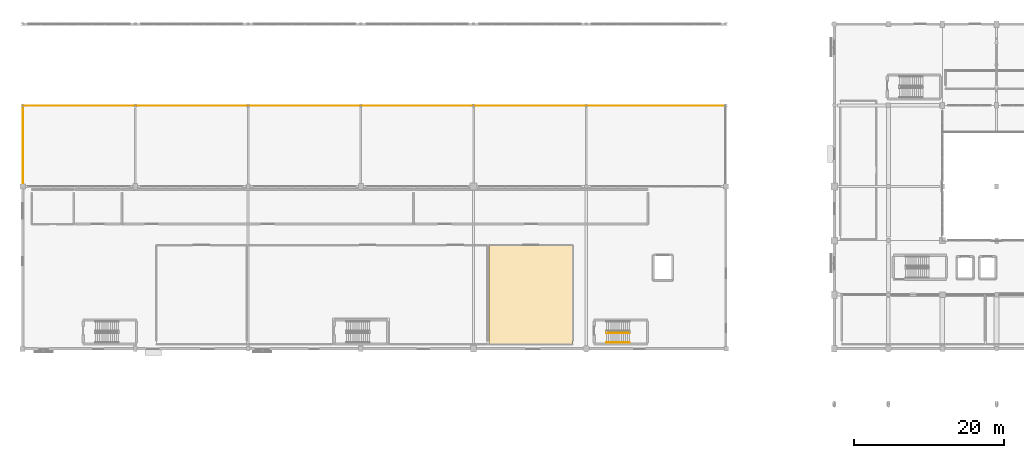
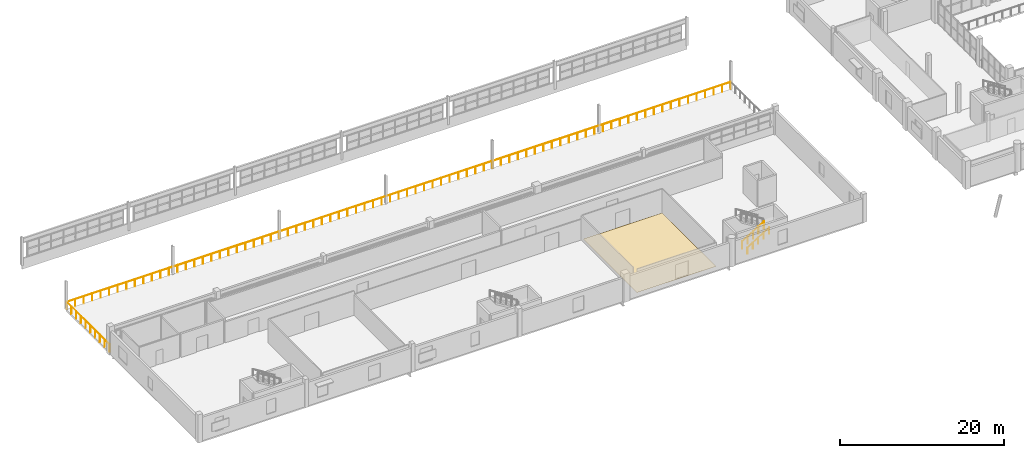
# One storey, part 80 of 92: 4 railings, 1 covering.
"""IFC4 building model written with IfcOpenShell, lengths in metres."""

from ifc_helpers import new_model, si_unit, direction, frame, origin, origin_2d, place, context, subcontext, project, spatial, polyline, circle, outline, extrude, material, layer, layer_set, type_object, element, save


model = new_model("IFC4")

# Units and contexts
model_context = context("Model", 3, precision=1e-05, world=origin(), true_north=direction((0.0, 1.0)))
body_context = subcontext(model_context, "Body", "Model", "MODEL_VIEW")
ifc_project = project(units=[si_unit("LENGTHUNIT", "METRE"), si_unit("AREAUNIT", "SQUARE_METRE"), si_unit("VOLUMEUNIT", "CUBIC_METRE"), si_unit("PLANEANGLEUNIT", "RADIAN"), si_unit("MASSUNIT", "GRAM", prefix="KILO")], contexts=[model_context])

# Site, building, storey
site_placement = place(None, origin())
site = spatial("IfcSite", under=ifc_project, at=site_placement, CompositionType="ELEMENT")
building_placement = place(site_placement, origin())
building = spatial("IfcBuilding", under=site, at=building_placement, Name="Solanera Park Tramway Depot", CompositionType="ELEMENT")
storey_placement = place(building_placement, frame((0.0, 0.0, 4.800048828125)))
storey = spatial("IfcBuildingStorey", under=building, at=storey_placement, Name="L01", CompositionType="ELEMENT", Elevation=4.800048828125)

# Railings
ifc_material_1 = material(Name="Powder-coated galvanised steel balustrade", Category="steel")
ifc_layer_1 = layer(ifc_material_1, 0.06005859375)
ifc_layer_set_1 = layer_set([ifc_layer_1], Name="Powder-coated galvanised steel balustrade")
railing_type_1 = type_object("IfcRailingType", Name="Classical Wrought-Style Balustrade 1120", PredefinedType="BALUSTRADE", material=ifc_layer_set_1)
railing_1_placement = place(storey_placement, frame((0.06005859375, 32.719970703125, 0.0)))
element("IfcRailing", 1, at=railing_1_placement, inside=storey, type_object=railing_type_1, Name="L01 Perimeter Deck Balustrade #011", PredefinedType="BALUSTRADE", context=body_context, shape_type="SweptSolid", body=[
    extrude(circle(Radius=0.02392578125, at=origin_2d()), frame((0.0, 0.0, 1.09619140625), z_axis=(0.0, 1.0, 0.0), x_axis=(-1.0, 0.0, 0.0)), (0.0, 0.0, 1.0), 10.419921875),
    extrude(circle(Radius=0.02099609375, at=origin_2d()), origin(), (0.0, 0.0, 1.0), 1.072021484375),
    extrude(circle(Radius=0.02099609375, at=origin_2d()), frame((0.0, 1.15771484375, 0.0)), (0.0, 0.0, 1.0), 1.072021484375),
    extrude(circle(Radius=0.02099609375, at=origin_2d()), frame((0.0, 2.3154296875, 0.0)), (0.0, 0.0, 1.0), 1.072021484375),
    extrude(circle(Radius=0.02099609375, at=origin_2d()), frame((0.0, 3.473388671875, 0.0)), (0.0, 0.0, 1.0), 1.072021484375),
    extrude(circle(Radius=0.02099609375, at=origin_2d()), frame((0.0, 4.631103515625, 0.0)), (0.0, 0.0, 1.0), 1.072021484375),
    extrude(circle(Radius=0.02099609375, at=origin_2d()), frame((0.0, 5.788818359375, 0.0)), (0.0, 0.0, 1.0), 1.072021484375),
    extrude(circle(Radius=0.02099609375, at=origin_2d()), frame((0.0, 6.946533203125, 0.0)), (0.0, 0.0, 1.0), 1.072021484375),
    extrude(circle(Radius=0.02099609375, at=origin_2d()), frame((0.0, 8.1044921875, 0.0)), (0.0, 0.0, 1.0), 1.072021484375),
    extrude(circle(Radius=0.02099609375, at=origin_2d()), frame((0.0, 9.26220703125, 0.0)), (0.0, 0.0, 1.0), 1.072021484375),
    extrude(circle(Radius=0.02099609375, at=origin_2d()), frame((0.0, 10.419921875, 0.0)), (0.0, 0.0, 1.0), 1.072021484375),
])
railing_2_placement = place(storey_placement, frame((0.06005859375, 43.139892578125, 0.0)))
element("IfcRailing", 2, at=railing_2_placement, inside=storey, type_object=railing_type_1, Name="L01 Perimeter Deck Balustrade #012", PredefinedType="BALUSTRADE", context=body_context, shape_type="SweptSolid", body=[
    extrude(circle(Radius=0.02392578125, at=origin_2d()), frame((0.0, 0.0, 1.09619140625), z_axis=(1.0, 0.0, 0.0), x_axis=(0.0, 1.0, 0.0)), (0.0, 0.0, 1.0), 93.47998046875),
    extrude(circle(Radius=0.02099609375, at=origin_2d()), origin(), (0.0, 0.0, 1.0), 1.072021484375),
    extrude(circle(Radius=0.02099609375, at=origin_2d()), frame((1.198486328125, 0.0, 0.0)), (0.0, 0.0, 1.0), 1.072021484375),
    extrude(circle(Radius=0.02099609375, at=origin_2d()), frame((2.39697265625, 0.0, 0.0)), (0.0, 0.0, 1.0), 1.072021484375),
    extrude(circle(Radius=0.02099609375, at=origin_2d()), frame((3.595458984375, 0.0, 0.0)), (0.0, 0.0, 1.0), 1.072021484375),
    extrude(circle(Radius=0.02099609375, at=origin_2d()), frame((4.7939453125, 0.0, 0.0)), (0.0, 0.0, 1.0), 1.072021484375),
    extrude(circle(Radius=0.02099609375, at=origin_2d()), frame((5.9921875, 0.0, 0.0)), (0.0, 0.0, 1.0), 1.072021484375),
    extrude(circle(Radius=0.02099609375, at=origin_2d()), frame((7.190673828125, 0.0, 0.0)), (0.0, 0.0, 1.0), 1.072021484375),
    extrude(circle(Radius=0.02099609375, at=origin_2d()), frame((8.38916015625, 0.0, 0.0)), (0.0, 0.0, 1.0), 1.072021484375),
    extrude(circle(Radius=0.02099609375, at=origin_2d()), frame((9.587646484375, 0.0, 0.0)), (0.0, 0.0, 1.0), 1.072021484375),
    extrude(circle(Radius=0.02099609375, at=origin_2d()), frame((10.7861328125, 0.0, 0.0)), (0.0, 0.0, 1.0), 1.072021484375),
    extrude(circle(Radius=0.02099609375, at=origin_2d()), frame((11.984619140625, 0.0, 0.0)), (0.0, 0.0, 1.0), 1.072021484375),
    extrude(circle(Radius=0.02099609375, at=origin_2d()), frame((13.18310546875, 0.0, 0.0)), (0.0, 0.0, 1.0), 1.072021484375),
    extrude(circle(Radius=0.02099609375, at=origin_2d()), frame((14.381591796875, 0.0, 0.0)), (0.0, 0.0, 1.0), 1.072021484375),
    extrude(circle(Radius=0.02099609375, at=origin_2d()), frame((15.580078125, 0.0, 0.0)), (0.0, 0.0, 1.0), 1.072021484375),
    extrude(circle(Radius=0.02099609375, at=origin_2d()), frame((16.778564453125, 0.0, 0.0)), (0.0, 0.0, 1.0), 1.072021484375),
    extrude(circle(Radius=0.02099609375, at=origin_2d()), frame((17.976806640625, 0.0, 0.0)), (0.0, 0.0, 1.0), 1.072021484375),
    extrude(circle(Radius=0.02099609375, at=origin_2d()), frame((19.17529296875, 0.0, 0.0)), (0.0, 0.0, 1.0), 1.072021484375),
    extrude(circle(Radius=0.02099609375, at=origin_2d()), frame((20.373779296875, 0.0, 0.0)), (0.0, 0.0, 1.0), 1.072021484375),
    extrude(circle(Radius=0.02099609375, at=origin_2d()), frame((21.572265625, 0.0, 0.0)), (0.0, 0.0, 1.0), 1.072021484375),
    extrude(circle(Radius=0.02099609375, at=origin_2d()), frame((22.770751953125, 0.0, 0.0)), (0.0, 0.0, 1.0), 1.072021484375),
    extrude(circle(Radius=0.02099609375, at=origin_2d()), frame((23.96923828125, 0.0, 0.0)), (0.0, 0.0, 1.0), 1.072021484375),
    extrude(circle(Radius=0.02099609375, at=origin_2d()), frame((25.167724609375, 0.0, 0.0)), (0.0, 0.0, 1.0), 1.072021484375),
    extrude(circle(Radius=0.02099609375, at=origin_2d()), frame((26.3662109375, 0.0, 0.0)), (0.0, 0.0, 1.0), 1.072021484375),
    extrude(circle(Radius=0.02099609375, at=origin_2d()), frame((27.564697265625, 0.0, 0.0)), (0.0, 0.0, 1.0), 1.072021484375),
    extrude(circle(Radius=0.02099609375, at=origin_2d()), frame((28.76318359375, 0.0, 0.0)), (0.0, 0.0, 1.0), 1.072021484375),
    extrude(circle(Radius=0.02099609375, at=origin_2d()), frame((29.96142578125, 0.0, 0.0)), (0.0, 0.0, 1.0), 1.072021484375),
    extrude(circle(Radius=0.02099609375, at=origin_2d()), frame((31.159912109375, 0.0, 0.0)), (0.0, 0.0, 1.0), 1.072021484375),
    extrude(circle(Radius=0.02099609375, at=origin_2d()), frame((32.3583984375, 0.0, 0.0)), (0.0, 0.0, 1.0), 1.072021484375),
    extrude(circle(Radius=0.02099609375, at=origin_2d()), frame((33.556884765625, 0.0, 0.0)), (0.0, 0.0, 1.0), 1.072021484375),
    extrude(circle(Radius=0.02099609375, at=origin_2d()), frame((34.75537109375, 0.0, 0.0)), (0.0, 0.0, 1.0), 1.072021484375),
    extrude(circle(Radius=0.02099609375, at=origin_2d()), frame((35.953857421875, 0.0, 0.0)), (0.0, 0.0, 1.0), 1.072021484375),
    extrude(circle(Radius=0.02099609375, at=origin_2d()), frame((37.15234375, 0.0, 0.0)), (0.0, 0.0, 1.0), 1.072021484375),
    extrude(circle(Radius=0.02099609375, at=origin_2d()), frame((38.350830078125, 0.0, 0.0)), (0.0, 0.0, 1.0), 1.072021484375),
    extrude(circle(Radius=0.02099609375, at=origin_2d()), frame((39.54931640625, 0.0, 0.0)), (0.0, 0.0, 1.0), 1.072021484375),
    extrude(circle(Radius=0.02099609375, at=origin_2d()), frame((40.747802734375, 0.0, 0.0)), (0.0, 0.0, 1.0), 1.072021484375),
    extrude(circle(Radius=0.02099609375, at=origin_2d()), frame((41.946044921875, 0.0, 0.0)), (0.0, 0.0, 1.0), 1.072021484375),
    extrude(circle(Radius=0.02099609375, at=origin_2d()), frame((43.14453125, 0.0, 0.0)), (0.0, 0.0, 1.0), 1.072021484375),
    extrude(circle(Radius=0.02099609375, at=origin_2d()), frame((44.343017578125, 0.0, 0.0)), (0.0, 0.0, 1.0), 1.072021484375),
    extrude(circle(Radius=0.02099609375, at=origin_2d()), frame((45.54150390625, 0.0, 0.0)), (0.0, 0.0, 1.0), 1.072021484375),
    extrude(circle(Radius=0.02099609375, at=origin_2d()), frame((46.739990234375, 0.0, 0.0)), (0.0, 0.0, 1.0), 1.072021484375),
    extrude(circle(Radius=0.02099609375, at=origin_2d()), frame((47.9384765625, 0.0, 0.0)), (0.0, 0.0, 1.0), 1.072021484375),
    extrude(circle(Radius=0.02099609375, at=origin_2d()), frame((49.136962890625, 0.0, 0.0)), (0.0, 0.0, 1.0), 1.072021484375),
    extrude(circle(Radius=0.02099609375, at=origin_2d()), frame((50.33544921875, 0.0, 0.0)), (0.0, 0.0, 1.0), 1.072021484375),
    extrude(circle(Radius=0.02099609375, at=origin_2d()), frame((51.533935546875, 0.0, 0.0)), (0.0, 0.0, 1.0), 1.072021484375),
    extrude(circle(Radius=0.02099609375, at=origin_2d()), frame((52.732177734375, 0.0, 0.0)), (0.0, 0.0, 1.0), 1.072021484375),
    extrude(circle(Radius=0.02099609375, at=origin_2d()), frame((53.9306640625, 0.0, 0.0)), (0.0, 0.0, 1.0), 1.072021484375),
    extrude(circle(Radius=0.02099609375, at=origin_2d()), frame((55.129150390625, 0.0, 0.0)), (0.0, 0.0, 1.0), 1.072021484375),
    extrude(circle(Radius=0.02099609375, at=origin_2d()), frame((56.32763671875, 0.0, 0.0)), (0.0, 0.0, 1.0), 1.072021484375),
    extrude(circle(Radius=0.02099609375, at=origin_2d()), frame((57.526123046875, 0.0, 0.0)), (0.0, 0.0, 1.0), 1.072021484375),
    extrude(circle(Radius=0.02099609375, at=origin_2d()), frame((58.724609375, 0.0, 0.0)), (0.0, 0.0, 1.0), 1.072021484375),
    extrude(circle(Radius=0.02099609375, at=origin_2d()), frame((59.923095703125, 0.0, 0.0)), (0.0, 0.0, 1.0), 1.072021484375),
    extrude(circle(Radius=0.02099609375, at=origin_2d()), frame((61.12158203125, 0.0, 0.0)), (0.0, 0.0, 1.0), 1.072021484375),
    extrude(circle(Radius=0.02099609375, at=origin_2d()), frame((62.320068359375, 0.0, 0.0)), (0.0, 0.0, 1.0), 1.072021484375),
    extrude(circle(Radius=0.02099609375, at=origin_2d()), frame((63.5185546875, 0.0, 0.0)), (0.0, 0.0, 1.0), 1.072021484375),
    extrude(circle(Radius=0.02099609375, at=origin_2d()), frame((64.716796875, 0.0, 0.0)), (0.0, 0.0, 1.0), 1.072021484375),
    extrude(circle(Radius=0.02099609375, at=origin_2d()), frame((65.915283203125, 0.0, 0.0)), (0.0, 0.0, 1.0), 1.072021484375),
    extrude(circle(Radius=0.02099609375, at=origin_2d()), frame((67.11376953125, 0.0, 0.0)), (0.0, 0.0, 1.0), 1.072021484375),
    extrude(circle(Radius=0.02099609375, at=origin_2d()), frame((68.312255859375, 0.0, 0.0)), (0.0, 0.0, 1.0), 1.072021484375),
    extrude(circle(Radius=0.02099609375, at=origin_2d()), frame((69.5107421875, 0.0, 0.0)), (0.0, 0.0, 1.0), 1.072021484375),
    extrude(circle(Radius=0.02099609375, at=origin_2d()), frame((70.709228515625, 0.0, 0.0)), (0.0, 0.0, 1.0), 1.072021484375),
    extrude(circle(Radius=0.02099609375, at=origin_2d()), frame((71.90771484375, 0.0, 0.0)), (0.0, 0.0, 1.0), 1.072021484375),
    extrude(circle(Radius=0.02099609375, at=origin_2d()), frame((73.106201171875, 0.0, 0.0)), (0.0, 0.0, 1.0), 1.072021484375),
    extrude(circle(Radius=0.02099609375, at=origin_2d()), frame((74.3046875, 0.0, 0.0)), (0.0, 0.0, 1.0), 1.072021484375),
    extrude(circle(Radius=0.02099609375, at=origin_2d()), frame((75.503173828125, 0.0, 0.0)), (0.0, 0.0, 1.0), 1.072021484375),
    extrude(circle(Radius=0.02099609375, at=origin_2d()), frame((76.701416015625, 0.0, 0.0)), (0.0, 0.0, 1.0), 1.072021484375),
    extrude(circle(Radius=0.02099609375, at=origin_2d()), frame((77.89990234375, 0.0, 0.0)), (0.0, 0.0, 1.0), 1.072021484375),
    extrude(circle(Radius=0.02099609375, at=origin_2d()), frame((79.098388671875, 0.0, 0.0)), (0.0, 0.0, 1.0), 1.072021484375),
    extrude(circle(Radius=0.02099609375, at=origin_2d()), frame((80.296875, 0.0, 0.0)), (0.0, 0.0, 1.0), 1.072021484375),
    extrude(circle(Radius=0.02099609375, at=origin_2d()), frame((81.495361328125, 0.0, 0.0)), (0.0, 0.0, 1.0), 1.072021484375),
    extrude(circle(Radius=0.02099609375, at=origin_2d()), frame((82.69384765625, 0.0, 0.0)), (0.0, 0.0, 1.0), 1.072021484375),
    extrude(circle(Radius=0.02099609375, at=origin_2d()), frame((83.892333984375, 0.0, 0.0)), (0.0, 0.0, 1.0), 1.072021484375),
    extrude(circle(Radius=0.02099609375, at=origin_2d()), frame((85.0908203125, 0.0, 0.0)), (0.0, 0.0, 1.0), 1.072021484375),
    extrude(circle(Radius=0.02099609375, at=origin_2d()), frame((86.289306640625, 0.0, 0.0)), (0.0, 0.0, 1.0), 1.072021484375),
    extrude(circle(Radius=0.02099609375, at=origin_2d()), frame((87.48779296875, 0.0, 0.0)), (0.0, 0.0, 1.0), 1.072021484375),
    extrude(circle(Radius=0.02099609375, at=origin_2d()), frame((88.68603515625, 0.0, 0.0)), (0.0, 0.0, 1.0), 1.072021484375),
    extrude(circle(Radius=0.02099609375, at=origin_2d()), frame((89.884521484375, 0.0, 0.0)), (0.0, 0.0, 1.0), 1.072021484375),
    extrude(circle(Radius=0.02099609375, at=origin_2d()), frame((91.0830078125, 0.0, 0.0)), (0.0, 0.0, 1.0), 1.072021484375),
    extrude(circle(Radius=0.02099609375, at=origin_2d()), frame((92.281494140625, 0.0, 0.0)), (0.0, 0.0, 1.0), 1.072021484375),
    extrude(circle(Radius=0.02099609375, at=origin_2d()), frame((93.47998046875, 0.0, 0.0)), (0.0, 0.0, 1.0), 1.072021484375),
])

# Covering
ifc_material_2 = material(Name="Heavy-duty slip-resistant epoxy resin screed")
ifc_layer_2 = layer(ifc_material_2, 0.011962890625)
ifc_layer_set_2 = layer_set([ifc_layer_2], Name="Heavy-duty slip-resistant epoxy resin screed")
covering_type = type_object("IfcCoveringType", Name="Epoxy Industrial Workshop Flooring 12", PredefinedType="FLOORING", material=ifc_layer_set_2)
covering_placement = place(storey_placement, origin())
element("IfcCovering", 3, at=covering_placement, inside=storey, type_object=covering_type, Name="Precision Metrology and Calibration Lab Floor Finish", PredefinedType="FLOORING", context=body_context, shape_type="SweptSolid", body=[
    extrude(outline(polyline([(73.159912109375, 11.43994140625), (62.0400390625, 11.43994140625), (62.0400390625, 24.56005859375), (73.159912109375, 24.56005859375), (73.159912109375, 11.43994140625)])), origin(), (0.0, 0.0, 1.0), 0.011962890625),
])

# Railings
ifc_material_3 = material(Name="Brushed stainless steel 316 handrail", Category="steel")
ifc_layer_3 = layer(ifc_material_3, 0.050048828125)
ifc_layer_set_3 = layer_set([ifc_layer_3], Name="Brushed stainless steel 316 handrail")
railing_type_2 = type_object("IfcRailingType", Name="Stair Pitch Tubular Handrail 920", PredefinedType="HANDRAIL", material=ifc_layer_set_3)
railing_3_placement = place(storey_placement, frame((77.699951171875, 11.64990234375, 0.175048828125)))
element("IfcRailing", 4, at=railing_3_placement, inside=storey, type_object=railing_type_2, Name="ST-09 L01 Pitch Handrail 1", PredefinedType="HANDRAIL", context=body_context, shape_type="SweptSolid", body=[
    extrude(circle(Radius=0.02392578125, at=origin_2d()), frame((0.0, 0.0, 0.89599609375), z_axis=(0.848028513186, 0.0, 0.529950602248), x_axis=(0.0, 1.0, 0.0)), (0.0, 0.0, 1.0), 3.632080078125),
    extrude(circle(Radius=0.02099609375, at=origin_2d()), origin(), (0.0, 0.0, 1.0), 0.871826171875),
    extrude(circle(Radius=0.02099609375, at=origin_2d()), frame((0.77001953125, 0.0, 0.481201171875)), (0.0, 0.0, 1.0), 0.871826171875),
    extrude(circle(Radius=0.02099609375, at=origin_2d()), frame((1.5400390625, 0.0, 0.96240234375)), (0.0, 0.0, 1.0), 0.871826171875),
    extrude(circle(Radius=0.02099609375, at=origin_2d()), frame((2.31005859375, 0.0, 1.443603515625)), (0.0, 0.0, 1.0), 0.871826171875),
    extrude(circle(Radius=0.02099609375, at=origin_2d()), frame((3.080078125, 0.0, 1.9248046875)), (0.0, 0.0, 1.0), 0.871826171875),
])
ifc_material_4 = material(Name="Steel AS/NZS 1163 Grade C350L0", Category="steel")
ifc_layer_4 = layer(ifc_material_4, 0.06005859375)
ifc_layer_set_4 = layer_set([ifc_layer_4], Name="Steel AS/NZS 1163 Grade C350L0")
railing_type_3 = type_object("IfcRailingType", Name="Stairwell Guardrail 1100", PredefinedType="GUARDRAIL", material=ifc_layer_set_4)
railing_4_placement = place(storey_placement, frame((77.699951171875, 12.89990234375, 0.175048828125)))
element("IfcRailing", 5, at=railing_4_placement, inside=storey, type_object=railing_type_3, Name="ST-09 L01 Well Guard 1", PredefinedType="GUARDRAIL", context=body_context, shape_type="SweptSolid", body=[
    extrude(circle(Radius=0.02392578125, at=origin_2d()), frame((0.0, 0.0, 1.076171875), z_axis=(0.848028513186, 0.0, 0.529950602248), x_axis=(0.0, 1.0, 0.0)), (0.0, 0.0, 1.0), 3.632080078125),
    extrude(circle(Radius=0.02099609375, at=origin_2d()), origin(), (0.0, 0.0, 1.0), 1.052001953125),
    extrude(circle(Radius=0.02099609375, at=origin_2d()), frame((0.77001953125, 0.0, 0.481201171875)), (0.0, 0.0, 1.0), 1.052001953125),
    extrude(circle(Radius=0.02099609375, at=origin_2d()), frame((1.5400390625, 0.0, 0.96240234375)), (0.0, 0.0, 1.0), 1.052001953125),
    extrude(circle(Radius=0.02099609375, at=origin_2d()), frame((2.31005859375, 0.0, 1.443603515625)), (0.0, 0.0, 1.0), 1.052001953125),
    extrude(circle(Radius=0.02099609375, at=origin_2d()), frame((3.080078125, 0.0, 1.9248046875)), (0.0, 0.0, 1.0), 1.052001953125),
])

save(model, "model.ifc")
